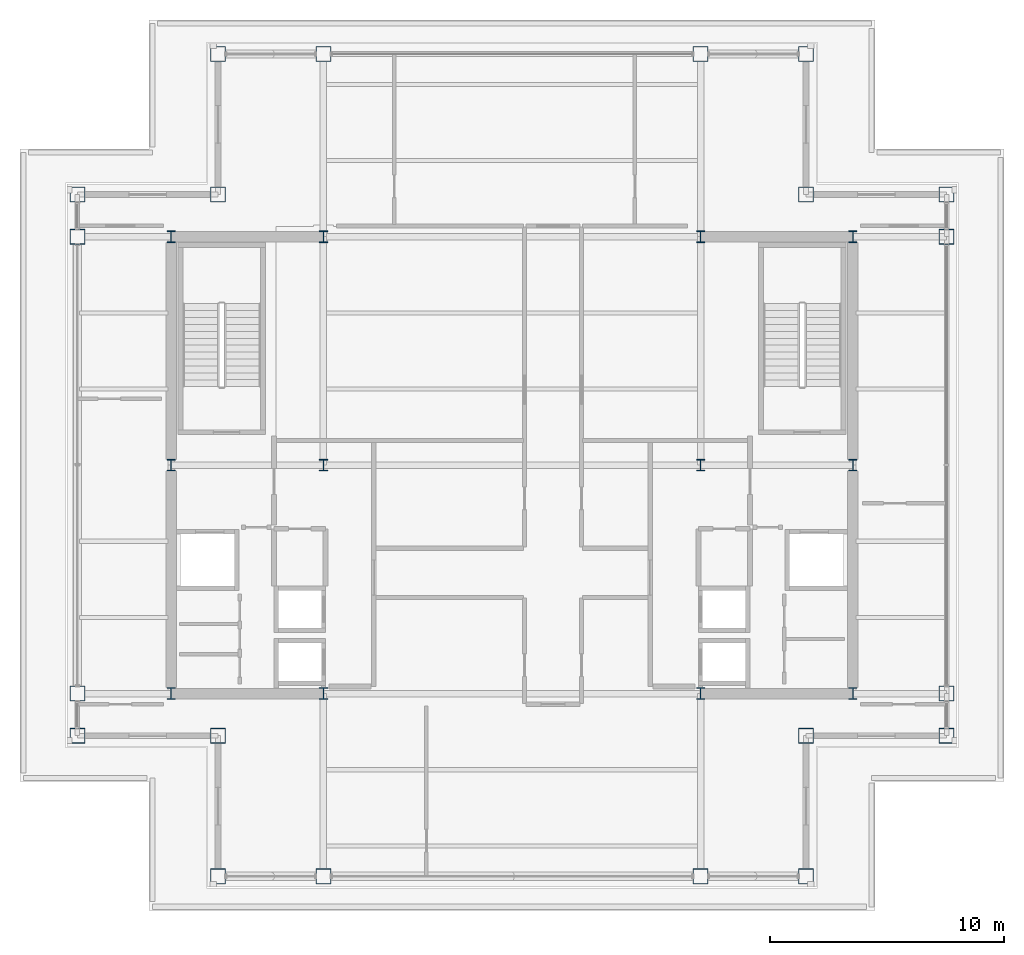
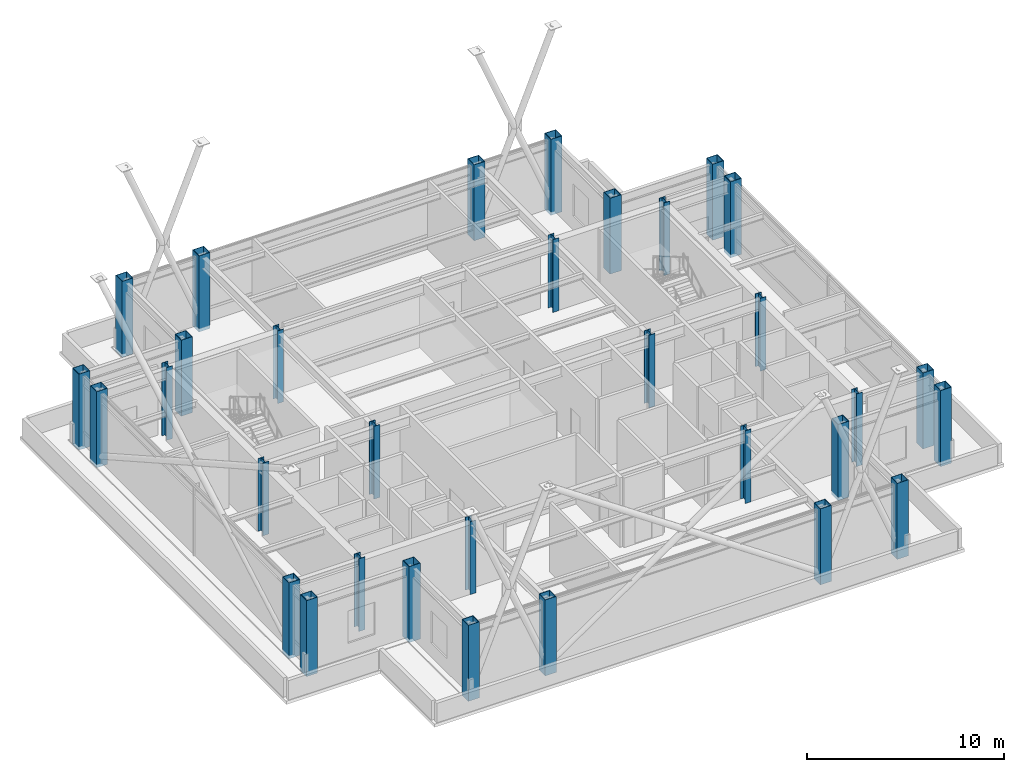
# One storey, part 1 of 19: 32 columns.
"""IFC4 building model written with IfcOpenShell, lengths in metres."""

import ifcopenshell
import ifcopenshell.guid

model = None  # the IFC model being written
_history = None  # IfcOwnerHistory: only IFC2X3 demands one
_inside = {}  # id of a spatial element -> (the spatial element, [elements in it])
_under = {}  # id of a project, library or spatial element -> (it, [spatial elements below it])
_declared = {}  # id of a project -> (the project, [libraries it declares])
_typed = {}  # id of a type object -> (the type object, [elements of that type])
_made_of = {}  # id of a material, layer set ... -> (it, [elements and type objects made of it])


def new_model(schema):
    """Start an empty IFC model of exactly this schema.

    Asked for "IFC4X3", IfcOpenShell would pick the latest addendum, in which some entities
    have other attributes; the version numbers below select the first issue.
    IFC2X3 requires an IfcOwnerHistory on every rooted entity: one is made here for all.
    """
    global model, _history
    if schema == "IFC4X3":
        model = ifcopenshell.file(schema_version=(4, 3, 0, 0))
    else:
        model = ifcopenshell.file(schema=schema)
    _inside.clear()
    _under.clear()
    _declared.clear()
    _typed.clear()
    _made_of.clear()
    _history = None
    if model.schema == "IFC2X3":
        org = make("IfcOrganization", Name="unknown")
        user = make(
            "IfcPersonAndOrganization",
            ThePerson=make("IfcPerson", FamilyName="unknown"),
            TheOrganization=org,
        )
        app = make(
            "IfcApplication",
            ApplicationDeveloper=org,
            Version="unknown",
            ApplicationFullName="unknown",
            ApplicationIdentifier="unknown",
        )
        _history = make(
            "IfcOwnerHistory",
            OwningUser=user,
            OwningApplication=app,
            ChangeAction="ADDED",
            CreationDate=0,
        )
    return model


def make(cls, **values):
    """One entity of the class cls with the attributes given. An attribute that is None is left unset."""
    return model.create_entity(
        cls, **{name: value for name, value in values.items() if value is not None}
    )


def rooted(cls, **values):
    """An entity with a GlobalId (a new one), such as an element, a storey or a relation."""
    return make(cls, GlobalId=ifcopenshell.guid.new(), OwnerHistory=_history, **values)


def si_unit(unit_type, name, prefix=None):
    """IfcSIUnit, for example si_unit("LENGTHUNIT", "METRE", prefix="MILLI")."""
    return make("IfcSIUnit", UnitType=unit_type, Prefix=prefix, Name=name)


def assignment(units):
    """IfcUnitAssignment: the units of a project."""
    return None if units is None else make("IfcUnitAssignment", Units=units)


def point(xyz):
    """IfcCartesianPoint."""
    return None if xyz is None else make("IfcCartesianPoint", Coordinates=xyz)


def direction(xyz):
    """IfcDirection."""
    return None if xyz is None else make("IfcDirection", DirectionRatios=xyz)


def frame(location, z_axis=None, x_axis=None):
    """IfcAxis2Placement3D, a coordinate frame: its origin and axes. An axis left out is left unset."""
    return make(
        "IfcAxis2Placement3D",
        Location=point(location),
        Axis=direction(z_axis),
        RefDirection=direction(x_axis),
    )


def frame_2d(location, x_axis=None):
    """IfcAxis2Placement2D, a coordinate frame in the plane: its origin and x axis."""
    return make(
        "IfcAxis2Placement2D", Location=point(location), RefDirection=direction(x_axis)
    )


def origin():
    """The frame at (0, 0, 0) with its axes left unset."""
    return frame((0.0, 0.0, 0.0))


def origin_2d():
    """The frame at (0, 0) in the plane with its x axis left unset."""
    return frame_2d((0.0, 0.0))


def place(relative_to, where):
    """IfcLocalPlacement: puts the frame where relative to a parent placement (None: the world)."""
    return make(
        "IfcLocalPlacement", PlacementRelTo=relative_to, RelativePlacement=where
    )


def context(
    kind, dimensions, precision=None, world=None, true_north=None, identifier=None
):
    """IfcGeometricRepresentationContext, for example the 3D "Model" context."""
    return make(
        "IfcGeometricRepresentationContext",
        ContextIdentifier=identifier,
        ContextType=kind,
        CoordinateSpaceDimension=dimensions,
        Precision=precision,
        WorldCoordinateSystem=world,
        TrueNorth=true_north,
    )


def subcontext(parent, identifier, kind, view, scale=None):
    """IfcGeometricRepresentationSubContext, for example "Body" below "Model"."""
    return make(
        "IfcGeometricRepresentationSubContext",
        ContextIdentifier=identifier,
        ContextType=kind,
        ParentContext=parent,
        TargetScale=scale,
        TargetView=view,
    )


def project(units=None, contexts=None):
    """IfcProject with its units and contexts."""
    return rooted(
        "IfcProject",
        Name="project",
        RepresentationContexts=contexts,
        UnitsInContext=assignment(units),
    )


def spatial(cls, under=None, at=None, **own):
    """A site, building, storey or space (cls), placed at a placement, below another one or the project."""
    s = rooted(cls, ObjectPlacement=at, **own)
    if under is not None:
        _under.setdefault(under.id(), (under, []))[1].append(s)
    return s


def profile(cls, at=None, kind="AREA", **sizes):
    """A parametric profile (cls). Its sizes go by their IFC names, for example OverallWidth=200.0."""
    return make(cls, ProfileType=kind, Position=at, **sizes)


def hollow_rectangle(**sizes):
    """IfcRectangleHollowProfileDef."""
    return profile("IfcRectangleHollowProfileDef", **sizes)


def i_section(**sizes):
    """IfcIShapeProfileDef."""
    return profile("IfcIShapeProfileDef", **sizes)


def extrude(swept, where, along, depth):
    """IfcExtrudedAreaSolid: the profile swept, set in the frame where, extruded along a direction by depth."""
    return make(
        "IfcExtrudedAreaSolid",
        SweptArea=swept,
        Position=where,
        ExtrudedDirection=direction(along),
        Depth=depth,
    )


def shape(context_of_items, identifier, shape_type, items):
    """IfcShapeRepresentation: the items that make up one representation, for example the "Body"."""
    return make(
        "IfcShapeRepresentation",
        ContextOfItems=context_of_items,
        RepresentationIdentifier=identifier,
        RepresentationType=shape_type,
        Items=items,
    )


def material(Name=None, Category=None):
    """IfcMaterial."""
    return make("IfcMaterial", Name=Name, Category=Category)


def material_profile(
    of_material, cross_section, Name=None, Category=None, Priority=None
):
    """IfcMaterialProfile: a cross section and its material."""
    return make(
        "IfcMaterialProfile",
        Name=Name,
        Material=of_material,
        Profile=cross_section,
        Priority=Priority,
        Category=Category,
    )


def profile_set(profiles, Name=None, composite=None):
    """IfcMaterialProfileSet."""
    return make(
        "IfcMaterialProfileSet",
        Name=Name,
        MaterialProfiles=profiles,
        CompositeProfile=composite,
    )


def made_of(thing, what):
    """Note that an element or type object is made of a material, layer set ...; save() writes the relation."""
    if what is not None:
        _made_of.setdefault(what.id(), (what, []))[1].append(thing)
    return thing


def type_object(cls, material=None, **own):
    """A type object (cls), such as IfcWallType, which elements share."""
    return made_of(rooted(cls, **own), material)


def element(
    cls,
    number,
    at=None,
    inside=None,
    cuts=None,
    type_object=None,
    material=None,
    context=None,
    identifier="Body",
    shape_type=None,
    held_by="IfcProductDefinitionShape",
    body=None,
    shapes=None,
    **own,
):
    """One element of the class cls, such as IfcWall. Its Tag is "e" and its number.

    at: its placement. inside: the storey or other place that contains it. cuts: it is an
    opening in that element (IfcRelVoidsElement). A single representation is given by context,
    identifier, shape_type and body (its items); several are given by shapes. held_by: the class
    of the entity that holds the representations. save() writes the other relations.
    """
    e = rooted(cls, Tag="e%d" % number, ObjectPlacement=at, **own)
    if body is not None:
        shapes = [shape(context, identifier, shape_type, body)]
    if shapes is not None:
        e.Representation = make(held_by, Representations=shapes)
    if inside is not None:
        _inside.setdefault(inside.id(), (inside, []))[1].append(e)
    if cuts is not None:
        rooted(
            "IfcRelVoidsElement", RelatingBuildingElement=cuts, RelatedOpeningElement=e
        )
    if type_object is not None:
        _typed.setdefault(type_object.id(), (type_object, []))[1].append(e)
    return made_of(e, material)


def aggregate(whole, parts):
    """IfcRelAggregates: a whole, such as a stair, and the parts it consists of."""
    return rooted("IfcRelAggregates", RelatingObject=whole, RelatedObjects=parts)


def save(model, path):
    """Write the relations noted so far, then the file.

    IfcRelAggregates (storeys below a building ...), IfcRelContainedInSpatialStructure (elements
    in a storey), IfcRelDefinesByType, IfcRelAssociatesMaterial and IfcRelDeclares: one each for
    every whole, place, type object, material and project.
    """
    for whole, parts in _under.values():
        aggregate(whole, parts)
    for where, things in _inside.values():
        rooted(
            "IfcRelContainedInSpatialStructure",
            RelatedElements=things,
            RelatingStructure=where,
        )
    for kind, things in _typed.values():
        rooted("IfcRelDefinesByType", RelatedObjects=things, RelatingType=kind)
    for what, things in _made_of.values():
        rooted("IfcRelAssociatesMaterial", RelatedObjects=things, RelatingMaterial=what)
    for by, libraries in _declared.values():
        rooted("IfcRelDeclares", RelatingContext=by, RelatedDefinitions=libraries)
    model.write(path)


model = new_model("IFC4")

# Units and contexts
model_context = context("Model", 3, precision=1e-05, world=origin(), true_north=direction((0.0, 1.0)))
body_context = subcontext(model_context, "Body", "Model", "MODEL_VIEW")
ifc_project = project(units=[si_unit("LENGTHUNIT", "METRE"), si_unit("AREAUNIT", "SQUARE_METRE"), si_unit("VOLUMEUNIT", "CUBIC_METRE"), si_unit("PLANEANGLEUNIT", "RADIAN"), si_unit("MASSUNIT", "GRAM", prefix="KILO")], contexts=[model_context])

# Site, building, storey
site_placement = place(None, origin())
site = spatial("IfcSite", under=ifc_project, at=site_placement, CompositionType="ELEMENT")
building_placement = place(site_placement, origin())
building = spatial("IfcBuilding", under=site, at=building_placement, Name="Brelmoor Portico Tower", CompositionType="ELEMENT")
storey_placement = place(building_placement, frame((0.0, 0.0, 213.89990234375)))
storey = spatial("IfcBuildingStorey", under=building, at=storey_placement, Name="L56", CompositionType="ELEMENT", Elevation=213.89990234375)

# Columns
ifc_material = material(Name="Steel Q355B", Category="steel")
ifc_material_profile_1 = material_profile(ifc_material, hollow_rectangle(XDim=0.64990234375, YDim=0.64990234375, WallThickness=0.028076171875, at=origin_2d()), Name="BOX 650x650x28")
ifc_profile_set_1 = profile_set([ifc_material_profile_1], Name="Steel Q355B")
column_type_1 = type_object("IfcColumnType", Name="COL-MEGA-650", PredefinedType="COLUMN", material=ifc_profile_set_1)
for number, where, z_axis, x_axis, name in (
    (1, (-12.550048828125, -17.550048828125, -0.199951171875), (0.0, 0.0, 1.0), (1.0, 0.0, 0.0), "L56 Perimeter Mega-Column PS01"),
    (2, (-8.050048828125, -17.550048828125, -0.199951171875), (0.0, 0.0, 1.0), (1.0, 0.0, 0.0), "L56 Perimeter Mega-Column PS02"),
    (3, (8.050048828125, -17.550048828125, -0.199951171875), (0.0, 0.0, 1.0), (1.0, 0.0, 0.0), "L56 Perimeter Mega-Column PS03"),
    (4, (12.550048828125, -17.550048828125, -0.199951171875), (0.0, 0.0, 1.0), (1.0, 0.0, 0.0), "L56 Perimeter Mega-Column PS04"),
    (5, (-12.550048828125, 17.550048828125, -0.199951171875), (0.0, 0.0, 1.0), (1.0, 0.0, 0.0), "L56 Perimeter Mega-Column PN01"),
    (6, (-8.050048828125, 17.550048828125, -0.199951171875), (0.0, 0.0, 1.0), (1.0, 0.0, 0.0), "L56 Perimeter Mega-Column PN02"),
    (7, (8.050048828125, 17.550048828125, -0.199951171875), (0.0, 0.0, 1.0), (1.0, 0.0, 0.0), "L56 Perimeter Mega-Column PN03"),
    (8, (12.550048828125, 17.550048828125, -0.199951171875), (0.0, 0.0, 1.0), (1.0, 0.0, 0.0), "L56 Perimeter Mega-Column PN04"),
    (9, (-18.550048828125, -11.550048828125, -0.199951171875), (0.0, 0.0, 1.0), (0.0, 1.0, 0.0), "L56 Perimeter Mega-Column PW01"),
    (10, (-18.550048828125, -9.75, -0.199951171875), (0.0, 0.0, 1.0), (0.0, 1.0, 0.0), "L56 Perimeter Mega-Column PW02"),
    (11, (-18.550048828125, 9.75, -0.199951171875), (0.0, 0.0, 1.0), (0.0, 1.0, 0.0), "L56 Perimeter Mega-Column PW03"),
    (12, (-18.550048828125, 11.550048828125, -0.199951171875), (0.0, 0.0, 1.0), (0.0, 1.0, 0.0), "L56 Perimeter Mega-Column PW04"),
    (13, (18.550048828125, -11.550048828125, -0.199951171875), (0.0, 0.0, 1.0), (0.0, 1.0, 0.0), "L56 Perimeter Mega-Column PE01"),
    (14, (18.550048828125, -9.75, -0.199951171875), (0.0, 0.0, 1.0), (0.0, 1.0, 0.0), "L56 Perimeter Mega-Column PE02"),
    (15, (18.550048828125, 9.75, -0.199951171875), (0.0, 0.0, 1.0), (0.0, 1.0, 0.0), "L56 Perimeter Mega-Column PE03"),
    (16, (18.550048828125, 11.550048828125, -0.199951171875), (0.0, 0.0, 1.0), (0.0, 1.0, 0.0), "L56 Perimeter Mega-Column PE04"),
    (17, (-12.550048828125, 11.550048828125, -0.199951171875), (0.0, 0.0, 1.0), (1.0, 0.0, 0.0), "L56 Perimeter Mega-Column PC-NW"),
    (18, (12.550048828125, 11.550048828125, -0.199951171875), (0.0, 0.0, 1.0), (1.0, 0.0, 0.0), "L56 Perimeter Mega-Column PC-NE"),
    (19, (12.550048828125, -11.550048828125, -0.199951171875), (0.0, 0.0, 1.0), (1.0, 0.0, 0.0), "L56 Perimeter Mega-Column PC-SE"),
    (20, (-12.550048828125, -11.550048828125, -0.199951171875), (0.0, 0.0, 1.0), (1.0, 0.0, 0.0), "L56 Perimeter Mega-Column PC-SW"),
):
    element("IfcColumn", number, at=place(storey_placement, frame(where, z_axis=z_axis, x_axis=x_axis)), inside=storey, type_object=column_type_1, Name=name, PredefinedType="COLUMN", context=body_context, shape_type="SweptSolid", body=[
        extrude(hollow_rectangle(XDim=0.64990234375, YDim=0.64990234375, WallThickness=0.028076171875, at=origin_2d()), origin(), (0.0, 0.0, 1.0), 4.699951171875),
    ])
ifc_material_profile_2 = material_profile(ifc_material, i_section(OverallWidth=0.35009765625, OverallDepth=0.5, WebThickness=0.02001953125, FlangeThickness=0.031982421875, at=origin_2d()), Name="HW 500x350x20x32")
ifc_profile_set_2 = profile_set([ifc_material_profile_2], Name="Steel Q355B")
column_type_2 = type_object("IfcColumnType", Name="COL-SPINE-500", PredefinedType="COLUMN", material=ifc_profile_set_2)
for number, where, z_axis, x_axis, name in (
    (21, (-14.550048828125, -9.75, 0.0), (0.0, 0.0, 1.0), (1.0, 0.0, 0.0), "L56 Core Spine Column CW-SW"),
    (22, (-14.550048828125, 0.0, 0.0), (0.0, 0.0, 1.0), (1.0, 0.0, 0.0), "L56 Core Spine Column CW-MW"),
    (23, (-14.550048828125, 9.75, 0.0), (0.0, 0.0, 1.0), (1.0, 0.0, 0.0), "L56 Core Spine Column CW-NW"),
    (24, (-8.050048828125, -9.75, 0.0), (0.0, 0.0, 1.0), (1.0, 0.0, 0.0), "L56 Core Spine Column CW-SE"),
    (25, (-8.050048828125, 0.0, 0.0), (0.0, 0.0, 1.0), (1.0, 0.0, 0.0), "L56 Core Spine Column CW-ME"),
    (26, (-8.050048828125, 9.75, 0.0), (0.0, 0.0, 1.0), (1.0, 0.0, 0.0), "L56 Core Spine Column CW-NE"),
    (27, (8.050048828125, -9.75, 0.0), (0.0, 0.0, 1.0), (1.0, 0.0, 0.0), "L56 Core Spine Column CE-SW"),
    (28, (8.050048828125, 0.0, 0.0), (0.0, 0.0, 1.0), (1.0, 0.0, 0.0), "L56 Core Spine Column CE-MW"),
    (29, (8.050048828125, 9.75, 0.0), (0.0, 0.0, 1.0), (1.0, 0.0, 0.0), "L56 Core Spine Column CE-NW"),
    (30, (14.550048828125, -9.75, 0.0), (0.0, 0.0, 1.0), (1.0, 0.0, 0.0), "L56 Core Spine Column CE-SE"),
    (31, (14.550048828125, 0.0, 0.0), (0.0, 0.0, 1.0), (1.0, 0.0, 0.0), "L56 Core Spine Column CE-ME"),
    (32, (14.550048828125, 9.75, 0.0), (0.0, 0.0, 1.0), (1.0, 0.0, 0.0), "L56 Core Spine Column CE-NE"),
):
    element("IfcColumn", number, at=place(storey_placement, frame(where, z_axis=z_axis, x_axis=x_axis)), inside=storey, type_object=column_type_2, Name=name, PredefinedType="COLUMN", context=body_context, shape_type="SweptSolid", body=[
        extrude(i_section(OverallWidth=0.35009765625, OverallDepth=0.5, WebThickness=0.02001953125, FlangeThickness=0.031982421875, at=origin_2d()), origin(), (0.0, 0.0, 1.0), 4.5),
    ])

save(model, "model.ifc")
